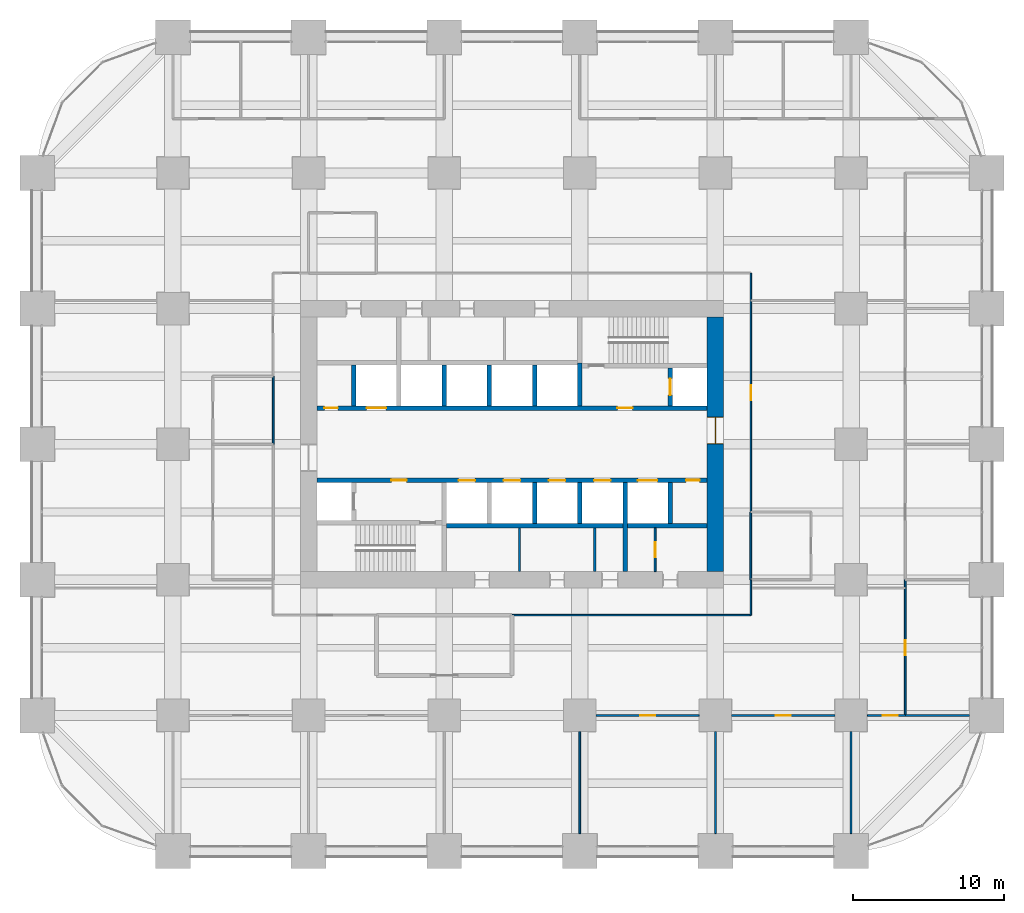
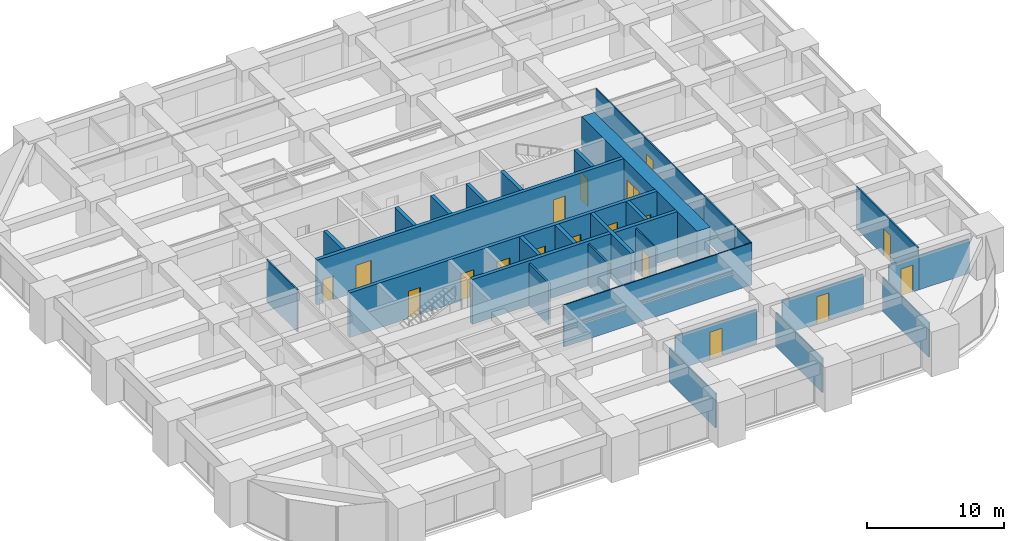
# One storey, part 40 of 44: 30 walls, 18 doors, 18 openings.
"""IFC4 building model written with IfcOpenShell, lengths in metres."""

from ifc_helpers import new_model, si_unit, direction, frame, frame_2d, origin, place, context, subcontext, project, spatial, rectangle, extrude, material, layer, layer_set, type_object, element, fill, save


model = new_model("IFC4")

# Units and contexts
model_context = context("Model", 3, precision=1e-05, world=origin(), true_north=direction((0.0, 1.0)))
body_context = subcontext(model_context, "Body", "Model", "MODEL_VIEW")
ifc_project = project(units=[si_unit("LENGTHUNIT", "METRE"), si_unit("AREAUNIT", "SQUARE_METRE"), si_unit("VOLUMEUNIT", "CUBIC_METRE"), si_unit("PLANEANGLEUNIT", "RADIAN"), si_unit("MASSUNIT", "GRAM", prefix="KILO")], contexts=[model_context])

# Site, building, storey
site_placement = place(None, origin())
site = spatial("IfcSite", under=ifc_project, at=site_placement, CompositionType="ELEMENT")
building_placement = place(site_placement, origin())
building = spatial("IfcBuilding", under=site, at=building_placement, Name="Zorevar Civic Tower", CompositionType="ELEMENT")
storey_placement = place(building_placement, frame((0.0, 0.0, 55.800048828125)))
storey = spatial("IfcBuildingStorey", under=building, at=storey_placement, Name="L13", CompositionType="ELEMENT", Elevation=55.800048828125)

# Wall, opening, door
ifc_material_1 = material(Name="Concrete C50/60", Category="concrete")
ifc_layer_1 = layer(ifc_material_1, 1.10009765625)
ifc_layer_set_1 = layer_set([ifc_layer_1], Name="Core wall 1100")
wall_type_1 = type_object("IfcWallType", Name="Core wall 1100", PredefinedType="SHEAR", material=ifc_layer_set_1)
wall_1_placement = place(storey_placement, frame((45.0, 18.550048828125, 0.0), z_axis=(0.0, 0.0, 1.0), x_axis=(0.0, 1.0, 0.0)))
wall_1 = element("IfcWall", 1, at=wall_1_placement, inside=storey, type_object=wall_type_1, Name="Core wall E L13", PredefinedType="SHEAR", context=body_context, shape_type="SweptSolid", body=[
    extrude(rectangle(XDim=16.89990234375, YDim=1.10009765625, at=frame_2d((8.449951171875, 0.0))), origin(), (0.0, 0.0, 1.0), 4.0),
])
opening_1_placement = place(wall_1_placement, frame((8.449951171875, 0.0, 0.0)))
opening_1 = element("IfcOpeningElement", 2, at=opening_1_placement, cuts=wall_1, Name="Opening L13.02", PredefinedType="OPENING", context=body_context, shape_type="SweptSolid", body=[
    extrude(rectangle(XDim=1.800048828125, YDim=2.39990234375, at=frame_2d((0.89990234375, 1.199951171875))), frame((0.0, 0.56005859375, 0.0), z_axis=(0.0, -1.0, 0.0), x_axis=(1.0, 0.0, 0.0)), (0.0, 0.0, 1.0), 1.1201171875),
])
ifc_material_2 = material(Name="Steel door set", Category="steel")
door_type_1 = type_object("IfcDoorType", Name="Fire door FD2 1800x2400", OperationType="DOUBLE_DOOR_DOUBLE_SWING", PredefinedType="DOOR", material=ifc_material_2)
door_1_placement = place(opening_1_placement, origin())
door_1 = element("IfcDoor", 3, at=door_1_placement, inside=storey, type_object=door_type_1, Name="Door L13 01", OperationType="DOUBLE_DOOR_DOUBLE_SWING", OverallHeight=2.39990234375, OverallWidth=1.800048828125, PredefinedType="DOOR", context=body_context, shape_type="SweptSolid", body=[
    extrude(rectangle(XDim=1.800048828125, YDim=2.39990234375, at=frame_2d((0.89990234375, 1.199951171875))), frame((0.0, 0.030029296875, 0.0), z_axis=(0.0, -1.0, 0.0), x_axis=(1.0, 0.0, 0.0)), (0.0, 0.0, 1.0), 0.06005859375),
    extrude(rectangle(XDim=0.04, YDim=2.39990234375, at=frame_2d((0.02001953125, 1.199951171875))), frame((0.0, 0.5498046875, 0.0), z_axis=(0.0, -1.0, 0.0), x_axis=(1.0, 0.0, 0.0)), (0.0, 0.0, 1.0), 1.099609375),
    extrude(rectangle(XDim=0.04, YDim=2.39990234375, at=frame_2d((1.780029296875, 1.199951171875))), frame((0.0, 0.5498046875, 0.0), z_axis=(0.0, -1.0, 0.0), x_axis=(1.0, 0.0, 0.0)), (0.0, 0.0, 1.0), 1.099609375),
    extrude(rectangle(XDim=1.800048828125, YDim=0.04, at=frame_2d((0.89990234375, 2.3798828125))), frame((0.0, 0.5498046875, 0.0), z_axis=(0.0, -1.0, 0.0), x_axis=(1.0, 0.0, 0.0)), (0.0, 0.0, 1.0), 1.099609375),
])
fill(opening_1, door_1)

# Walls
ifc_material_3 = material(Name="Laminated glass in black aluminium frame", Category="aluminium")
ifc_layer_2 = layer(ifc_material_3, 0.10009765625)
ifc_layer_set_2 = layer_set([ifc_layer_2], Name="Glazed partition 100")
wall_type_2 = type_object("IfcWallType", Name="Glazed partition 100", PredefinedType="PARTITIONING", material=ifc_layer_set_2)
wall_2_placement = place(storey_placement, frame((31.5, 15.64990234375, 0.0), z_axis=(0.0, 0.0, 1.0), x_axis=(1.0, 0.0, 0.0)))
element("IfcWall", 4, at=wall_2_placement, inside=storey, type_object=wall_type_2, Name="Glazed partition 100 L13", PredefinedType="PARTITIONING", context=body_context, shape_type="SweptSolid", body=[
    extrude(rectangle(XDim=15.85009765625, YDim=0.10009765625, at=frame_2d((7.925048828125, 0.0))), origin(), (0.0, 0.0, 1.0), 3.75),
])
wall_3_placement = place(storey_placement, frame((47.35009765625, 15.64990234375, 0.0), z_axis=(0.0, 0.0, 1.0), x_axis=(0.0, 1.0, 0.0)))
element("IfcWall", 5, at=wall_3_placement, inside=storey, type_object=wall_type_2, Name="Glazed partition 100 L13", PredefinedType="PARTITIONING", context=body_context, shape_type="SweptSolid", body=[
    extrude(rectangle(XDim=2.35009765625, YDim=0.10009765625, at=frame_2d((1.175048828125, 0.0))), origin(), (0.0, 0.0, 1.0), 3.75),
])

# Wall, opening, door
wall_4_placement = place(storey_placement, frame((47.35009765625, 22.5, 0.0), z_axis=(0.0, 0.0, 1.0), x_axis=(0.0, 1.0, 0.0)))
wall_4 = element("IfcWall", 6, at=wall_4_placement, inside=storey, type_object=wall_type_2, Name="Glazed partition 100 L13", PredefinedType="PARTITIONING", context=body_context, shape_type="SweptSolid", body=[
    extrude(rectangle(XDim=15.85009765625, YDim=0.10009765625, at=frame_2d((7.925048828125, 0.0))), origin(), (0.0, 0.0, 1.0), 3.75),
])
opening_2_placement = place(wall_4_placement, frame((7.425048828125, 0.0, 0.0)))
opening_2 = element("IfcOpeningElement", 7, at=opening_2_placement, cuts=wall_4, Name="Opening L13.36", PredefinedType="OPENING", context=body_context, shape_type="SweptSolid", body=[
    extrude(rectangle(XDim=1.0, YDim=2.39990234375, at=frame_2d((0.5, 1.199951171875))), frame((0.0, 0.06005859375, 0.0), z_axis=(0.0, -1.0, 0.0), x_axis=(1.0, 0.0, 0.0)), (0.0, 0.0, 1.0), 0.1201171875),
])
ifc_material_4 = material(Name="Timber door set", Category="wood")
door_type_2 = type_object("IfcDoorType", Name="Glazed door GD1 1000x2400", OperationType="SINGLE_SWING_LEFT", PredefinedType="DOOR", material=ifc_material_4)
door_2_placement = place(opening_2_placement, origin())
door_2 = element("IfcDoor", 8, at=door_2_placement, inside=storey, type_object=door_type_2, Name="Door L13 D1", OperationType="SINGLE_SWING_RIGHT", OverallHeight=2.39990234375, OverallWidth=1.0, PredefinedType="DOOR", context=body_context, shape_type="SweptSolid", body=[
    extrude(rectangle(XDim=1.0, YDim=2.39990234375, at=frame_2d((0.5, 1.199951171875))), frame((0.0, 0.02001953125, 0.0), z_axis=(0.0, -1.0, 0.0), x_axis=(1.0, 0.0, 0.0)), (0.0, 0.0, 1.0), 0.0400390625),
])
fill(opening_2, door_2)

ifc_material_5 = material(Name="Concrete C40/50", Category="concrete")
ifc_layer_3 = layer(ifc_material_5, 0.300048828125)
ifc_layer_set_3 = layer_set([ifc_layer_3], Name="Inner core wall 300")
wall_type_3 = type_object("IfcWallType", Name="Inner core wall 300", PredefinedType="SHEAR", material=ifc_layer_set_3)
wall_5_placement = place(storey_placement, frame((42.0, 29.550048828125, 0.0), z_axis=(0.0, 0.0, 1.0), x_axis=(0.0, 1.0, 0.0)))
wall_5 = element("IfcWall", 9, at=wall_5_placement, inside=storey, type_object=wall_type_3, Name="Inner core wall N02 L13", PredefinedType="SHEAR", context=body_context, shape_type="SweptSolid", body=[
    extrude(rectangle(XDim=2.5, YDim=0.300048828125, at=frame_2d((1.25, 0.0))), origin(), (0.0, 0.0, 1.0), 4.0),
])
opening_3_placement = place(wall_5_placement, frame((0.699951171875, 0.0, 0.0)))
opening_3 = element("IfcOpeningElement", 10, at=opening_3_placement, cuts=wall_5, Name="Opening L13.FL2", PredefinedType="OPENING", context=body_context, shape_type="SweptSolid", body=[
    extrude(rectangle(XDim=1.10009765625, YDim=2.39990234375, at=frame_2d((0.550048828125, 1.199951171875))), frame((0.0, 0.159912109375, 0.0), z_axis=(0.0, -1.0, 0.0), x_axis=(1.0, 0.0, 0.0)), (0.0, 0.0, 1.0), 0.320068359375),
])
ifc_material_6 = material(Name="Steel door set", Category="steel")
door_type_3 = type_object("IfcDoorType", Name="Firefighting lift landing door LD3 1100x2400", OperationType="DOUBLE_DOOR_SLIDING", PredefinedType="DOOR", material=ifc_material_6)
door_3_placement = place(opening_3_placement, origin())
door_3 = element("IfcDoor", 11, at=door_3_placement, inside=storey, type_object=door_type_3, Name="Landing door FL2 L13", OperationType="DOUBLE_DOOR_SLIDING", OverallHeight=2.39990234375, OverallWidth=1.10009765625, PredefinedType="DOOR", context=body_context, shape_type="SweptSolid", body=[
    extrude(rectangle(XDim=1.10009765625, YDim=2.39990234375, at=frame_2d((0.550048828125, 1.199951171875))), frame((0.0, 0.030029296875, 0.0), z_axis=(0.0, -1.0, 0.0), x_axis=(1.0, 0.0, 0.0)), (0.0, 0.0, 1.0), 0.06005859375),
])
fill(opening_3, door_3)

# Wall, openings, doors
wall_6_placement = place(storey_placement, frame((18.550048828125, 24.60009765625, 0.0), z_axis=(0.0, 0.0, 1.0), x_axis=(1.0, 0.0, 0.0)))
wall_6 = element("IfcWall", 12, at=wall_6_placement, inside=storey, type_object=wall_type_3, Name="Inner core wall S03 L13", PredefinedType="SHEAR", context=body_context, shape_type="SweptSolid", body=[
    extrude(rectangle(XDim=25.89990234375, YDim=0.300048828125, at=frame_2d((12.949951171875, 0.0))), origin(), (0.0, 0.0, 1.0), 4.0),
])
opening_4_placement = place(wall_6_placement, frame((4.949951171875, 0.0, 0.0)))
opening_4 = element("IfcOpeningElement", 13, at=opening_4_placement, cuts=wall_6, Name="Opening L13.13", PredefinedType="OPENING", context=body_context, shape_type="SweptSolid", body=[
    extrude(rectangle(XDim=1.0, YDim=2.39990234375, at=frame_2d((0.5, 1.199951171875))), frame((0.0, 0.159912109375, 0.0), z_axis=(0.0, -1.0, 0.0), x_axis=(1.0, 0.0, 0.0)), (0.0, 0.0, 1.0), 0.320068359375),
])
opening_5_placement = place(wall_6_placement, frame((24.5, 0.0, 0.0)))
opening_5 = element("IfcOpeningElement", 14, at=opening_5_placement, cuts=wall_6, Name="Opening L13.15", PredefinedType="OPENING", context=body_context, shape_type="SweptSolid", body=[
    extrude(rectangle(XDim=0.89990234375, YDim=2.10009765625, at=frame_2d((0.449951171875, 1.050048828125))), frame((0.0, 0.159912109375, 0.0), z_axis=(0.0, -1.0, 0.0), x_axis=(1.0, 0.0, 0.0)), (0.0, 0.0, 1.0), 0.320068359375),
])
opening_6_placement = place(wall_6_placement, frame((9.39990234375, 0.0, 0.0)))
opening_6 = element("IfcOpeningElement", 15, at=opening_6_placement, cuts=wall_6, Name="Opening L13.LP1", PredefinedType="OPENING", context=body_context, shape_type="SweptSolid", body=[
    extrude(rectangle(XDim=1.10009765625, YDim=2.39990234375, at=frame_2d((0.550048828125, 1.199951171875))), frame((0.0, 0.159912109375, 0.0), z_axis=(0.0, -1.0, 0.0), x_axis=(1.0, 0.0, 0.0)), (0.0, 0.0, 1.0), 0.320068359375),
])
opening_7_placement = place(wall_6_placement, frame((12.39990234375, 0.0, 0.0)))
opening_7 = element("IfcOpeningElement", 16, at=opening_7_placement, cuts=wall_6, Name="Opening L13.LP2", PredefinedType="OPENING", context=body_context, shape_type="SweptSolid", body=[
    extrude(rectangle(XDim=1.10009765625, YDim=2.39990234375, at=frame_2d((0.550048828125, 1.199951171875))), frame((0.0, 0.159912109375, 0.0), z_axis=(0.0, -1.0, 0.0), x_axis=(1.0, 0.0, 0.0)), (0.0, 0.0, 1.0), 0.320068359375),
])
opening_8_placement = place(wall_6_placement, frame((15.39990234375, 0.0, 0.0)))
opening_8 = element("IfcOpeningElement", 17, at=opening_8_placement, cuts=wall_6, Name="Opening L13.LP3", PredefinedType="OPENING", context=body_context, shape_type="SweptSolid", body=[
    extrude(rectangle(XDim=1.10009765625, YDim=2.39990234375, at=frame_2d((0.550048828125, 1.199951171875))), frame((0.0, 0.159912109375, 0.0), z_axis=(0.0, -1.0, 0.0), x_axis=(1.0, 0.0, 0.0)), (0.0, 0.0, 1.0), 0.320068359375),
])
opening_9_placement = place(wall_6_placement, frame((18.39990234375, 0.0, 0.0)))
opening_9 = element("IfcOpeningElement", 18, at=opening_9_placement, cuts=wall_6, Name="Opening L13.LP4", PredefinedType="OPENING", context=body_context, shape_type="SweptSolid", body=[
    extrude(rectangle(XDim=1.10009765625, YDim=2.39990234375, at=frame_2d((0.550048828125, 1.199951171875))), frame((0.0, 0.159912109375, 0.0), z_axis=(0.0, -1.0, 0.0), x_axis=(1.0, 0.0, 0.0)), (0.0, 0.0, 1.0), 0.320068359375),
])
opening_10_placement = place(wall_6_placement, frame((21.300048828125, 0.0, 0.0)))
opening_10 = element("IfcOpeningElement", 19, at=opening_10_placement, cuts=wall_6, Name="Opening L13.SL1", PredefinedType="OPENING", context=body_context, shape_type="SweptSolid", body=[
    extrude(rectangle(XDim=1.300048828125, YDim=2.39990234375, at=frame_2d((0.64990234375, 1.199951171875))), frame((0.0, 0.159912109375, 0.0), z_axis=(0.0, -1.0, 0.0), x_axis=(1.0, 0.0, 0.0)), (0.0, 0.0, 1.0), 0.320068359375),
])
ifc_material_7 = material(Name="Steel door set", Category="steel")
door_type_4 = type_object("IfcDoorType", Name="Fire door FD1 1000x2400", OperationType="SINGLE_SWING_LEFT", PredefinedType="DOOR", material=ifc_material_7)
door_4_placement = place(opening_4_placement, origin())
door_4 = element("IfcDoor", 20, at=door_4_placement, inside=storey, type_object=door_type_4, Name="Door L13 12", OperationType="SINGLE_SWING_RIGHT", OverallHeight=2.39990234375, OverallWidth=1.0, PredefinedType="DOOR", context=body_context, shape_type="SweptSolid", body=[
    extrude(rectangle(XDim=1.0, YDim=2.39990234375, at=frame_2d((0.5, 1.199951171875))), frame((0.0, 0.030029296875, 0.0), z_axis=(0.0, -1.0, 0.0), x_axis=(1.0, 0.0, 0.0)), (0.0, 0.0, 1.0), 0.06005859375),
])
fill(opening_4, door_4)
ifc_material_8 = material(Name="Steel door set", Category="steel")
door_type_5 = type_object("IfcDoorType", Name="Landing door LD1 1100x2400", OperationType="DOUBLE_DOOR_SLIDING", PredefinedType="DOOR", material=ifc_material_8)
door_5_placement = place(opening_6_placement, origin())
door_5 = element("IfcDoor", 21, at=door_5_placement, inside=storey, type_object=door_type_5, Name="Landing door LP1 L13", OperationType="DOUBLE_DOOR_SLIDING", OverallHeight=2.39990234375, OverallWidth=1.10009765625, PredefinedType="DOOR", context=body_context, shape_type="SweptSolid", body=[
    extrude(rectangle(XDim=1.10009765625, YDim=2.39990234375, at=frame_2d((0.550048828125, 1.199951171875))), frame((0.0, 0.02001953125, 0.0), z_axis=(0.0, -1.0, 0.0), x_axis=(1.0, 0.0, 0.0)), (0.0, 0.0, 1.0), 0.0400390625),
])
fill(opening_6, door_5)
door_6_placement = place(opening_7_placement, origin())
door_6 = element("IfcDoor", 22, at=door_6_placement, inside=storey, type_object=door_type_5, Name="Landing door LP2 L13", OperationType="DOUBLE_DOOR_SLIDING", OverallHeight=2.39990234375, OverallWidth=1.10009765625, PredefinedType="DOOR", context=body_context, shape_type="SweptSolid", body=[
    extrude(rectangle(XDim=1.10009765625, YDim=2.39990234375, at=frame_2d((0.550048828125, 1.199951171875))), frame((0.0, 0.02001953125, 0.0), z_axis=(0.0, -1.0, 0.0), x_axis=(1.0, 0.0, 0.0)), (0.0, 0.0, 1.0), 0.0400390625),
])
fill(opening_7, door_6)
door_7_placement = place(opening_8_placement, origin())
door_7 = element("IfcDoor", 23, at=door_7_placement, inside=storey, type_object=door_type_5, Name="Landing door LP3 L13", OperationType="DOUBLE_DOOR_SLIDING", OverallHeight=2.39990234375, OverallWidth=1.10009765625, PredefinedType="DOOR", context=body_context, shape_type="SweptSolid", body=[
    extrude(rectangle(XDim=1.10009765625, YDim=2.39990234375, at=frame_2d((0.550048828125, 1.199951171875))), frame((0.0, 0.02001953125, 0.0), z_axis=(0.0, -1.0, 0.0), x_axis=(1.0, 0.0, 0.0)), (0.0, 0.0, 1.0), 0.0400390625),
])
fill(opening_8, door_7)
door_8_placement = place(opening_9_placement, origin())
door_8 = element("IfcDoor", 24, at=door_8_placement, inside=storey, type_object=door_type_5, Name="Landing door LP4 L13", OperationType="DOUBLE_DOOR_SLIDING", OverallHeight=2.39990234375, OverallWidth=1.10009765625, PredefinedType="DOOR", context=body_context, shape_type="SweptSolid", body=[
    extrude(rectangle(XDim=1.10009765625, YDim=2.39990234375, at=frame_2d((0.550048828125, 1.199951171875))), frame((0.0, 0.02001953125, 0.0), z_axis=(0.0, -1.0, 0.0), x_axis=(1.0, 0.0, 0.0)), (0.0, 0.0, 1.0), 0.0400390625),
])
fill(opening_9, door_8)
ifc_material_9 = material(Name="Steel door set", Category="steel")
door_type_6 = type_object("IfcDoorType", Name="Landing door LD2 1300x2400", OperationType="DOUBLE_DOOR_SLIDING", PredefinedType="DOOR", material=ifc_material_9)
door_9_placement = place(opening_10_placement, origin())
door_9 = element("IfcDoor", 25, at=door_9_placement, inside=storey, type_object=door_type_6, Name="Landing door SL1 L13", OperationType="DOUBLE_DOOR_SLIDING", OverallHeight=2.39990234375, OverallWidth=1.300048828125, PredefinedType="DOOR", context=body_context, shape_type="SweptSolid", body=[
    extrude(rectangle(XDim=1.300048828125, YDim=2.39990234375, at=frame_2d((0.64990234375, 1.199951171875))), frame((0.0, 0.02001953125, 0.0), z_axis=(0.0, -1.0, 0.0), x_axis=(1.0, 0.0, 0.0)), (0.0, 0.0, 1.0), 0.0400390625),
])
fill(opening_10, door_9)
ifc_material_10 = material(Name="Steel door set", Category="steel")
door_type_7 = type_object("IfcDoorType", Name="Riser door RD1 900x2100", OperationType="SINGLE_SWING_LEFT", PredefinedType="DOOR", material=ifc_material_10)
door_10_placement = place(opening_5_placement, origin())
door_10 = element("IfcDoor", 26, at=door_10_placement, inside=storey, type_object=door_type_7, Name="Door L13 14", OperationType="SINGLE_SWING_RIGHT", OverallHeight=2.10009765625, OverallWidth=0.89990234375, PredefinedType="DOOR", context=body_context, shape_type="SweptSolid", body=[
    extrude(rectangle(XDim=0.89990234375, YDim=2.10009765625, at=frame_2d((0.449951171875, 1.050048828125))), frame((0.0, 0.030029296875, 0.0), z_axis=(0.0, -1.0, 0.0), x_axis=(1.0, 0.0, 0.0)), (0.0, 0.0, 1.0), 0.06005859375),
])
fill(opening_5, door_10)

wall_7_placement = place(storey_placement, frame((18.550048828125, 29.39990234375, 0.0), z_axis=(0.0, 0.0, 1.0), x_axis=(1.0, 0.0, 0.0)))
wall_7 = element("IfcWall", 27, at=wall_7_placement, inside=storey, type_object=wall_type_3, Name="Inner core wall N03 L13", PredefinedType="SHEAR", context=body_context, shape_type="SweptSolid", body=[
    extrude(rectangle(XDim=25.89990234375, YDim=0.300048828125, at=frame_2d((12.949951171875, 0.0))), origin(), (0.0, 0.0, 1.0), 4.0),
])
opening_11_placement = place(wall_7_placement, frame((19.949951171875, 0.0, 0.0)))
opening_11 = element("IfcOpeningElement", 28, at=opening_11_placement, cuts=wall_7, Name="Opening L13.14", PredefinedType="OPENING", context=body_context, shape_type="SweptSolid", body=[
    extrude(rectangle(XDim=1.0, YDim=2.39990234375, at=frame_2d((0.5, 1.199951171875))), frame((0.0, 0.159912109375, 0.0), z_axis=(0.0, -1.0, 0.0), x_axis=(1.0, 0.0, 0.0)), (0.0, 0.0, 1.0), 0.320068359375),
])
opening_12_placement = place(wall_7_placement, frame((0.5, 0.0, 0.0)))
opening_12 = element("IfcOpeningElement", 29, at=opening_12_placement, cuts=wall_7, Name="Opening L13.16", PredefinedType="OPENING", context=body_context, shape_type="SweptSolid", body=[
    extrude(rectangle(XDim=0.89990234375, YDim=2.10009765625, at=frame_2d((0.449951171875, 1.050048828125))), frame((0.0, 0.159912109375, 0.0), z_axis=(0.0, -1.0, 0.0), x_axis=(1.0, 0.0, 0.0)), (0.0, 0.0, 1.0), 0.320068359375),
])
opening_13_placement = place(wall_7_placement, frame((3.300048828125, 0.0, 0.0)))
opening_13 = element("IfcOpeningElement", 30, at=opening_13_placement, cuts=wall_7, Name="Opening L13.SL2", PredefinedType="OPENING", context=body_context, shape_type="SweptSolid", body=[
    extrude(rectangle(XDim=1.300048828125, YDim=2.39990234375, at=frame_2d((0.64990234375, 1.199951171875))), frame((0.0, 0.159912109375, 0.0), z_axis=(0.0, -1.0, 0.0), x_axis=(1.0, 0.0, 0.0)), (0.0, 0.0, 1.0), 0.320068359375),
])
door_11_placement = place(opening_11_placement, origin())
door_11 = element("IfcDoor", 31, at=door_11_placement, inside=storey, type_object=door_type_4, Name="Door L13 13", OperationType="SINGLE_SWING_RIGHT", OverallHeight=2.39990234375, OverallWidth=1.0, PredefinedType="DOOR", context=body_context, shape_type="SweptSolid", body=[
    extrude(rectangle(XDim=1.0, YDim=2.39990234375, at=frame_2d((0.5, 1.199951171875))), frame((0.0, 0.030029296875, 0.0), z_axis=(0.0, -1.0, 0.0), x_axis=(1.0, 0.0, 0.0)), (0.0, 0.0, 1.0), 0.06005859375),
])
fill(opening_11, door_11)
door_12_placement = place(opening_13_placement, origin())
door_12 = element("IfcDoor", 32, at=door_12_placement, inside=storey, type_object=door_type_6, Name="Landing door SL2 L13", OperationType="DOUBLE_DOOR_SLIDING", OverallHeight=2.39990234375, OverallWidth=1.300048828125, PredefinedType="DOOR", context=body_context, shape_type="SweptSolid", body=[
    extrude(rectangle(XDim=1.300048828125, YDim=2.39990234375, at=frame_2d((0.64990234375, 1.199951171875))), frame((0.0, 0.02001953125, 0.0), z_axis=(0.0, -1.0, 0.0), x_axis=(1.0, 0.0, 0.0)), (0.0, 0.0, 1.0), 0.0400390625),
])
fill(opening_13, door_12)
door_13_placement = place(opening_12_placement, origin())
door_13 = element("IfcDoor", 33, at=door_13_placement, inside=storey, type_object=door_type_7, Name="Door L13 15", OperationType="SINGLE_SWING_RIGHT", OverallHeight=2.10009765625, OverallWidth=0.89990234375, PredefinedType="DOOR", context=body_context, shape_type="SweptSolid", body=[
    extrude(rectangle(XDim=0.89990234375, YDim=2.10009765625, at=frame_2d((0.449951171875, 1.050048828125))), frame((0.0, 0.030029296875, 0.0), z_axis=(0.0, -1.0, 0.0), x_axis=(1.0, 0.0, 0.0)), (0.0, 0.0, 1.0), 0.06005859375),
])
fill(opening_12, door_13)

# Walls
wall_8_placement = place(storey_placement, frame((27.14990234375, 21.60009765625, 0.0), z_axis=(0.0, 0.0, 1.0), x_axis=(1.0, 0.0, 0.0)))
element("IfcWall", 34, at=wall_8_placement, inside=storey, type_object=wall_type_3, Name="Inner core wall S04 L13", PredefinedType="SHEAR", context=body_context, shape_type="SweptSolid", body=[
    extrude(rectangle(XDim=17.300048828125, YDim=0.300048828125, at=frame_2d((8.64990234375, 0.0))), origin(), (0.0, 0.0, 1.0), 4.0),
])
for number, where, z_axis, x_axis, name in (
    (35, (33.0, 29.550048828125, 0.0), (0.0, 0.0, 1.0), (0.0, 1.0, 0.0), "Inner core wall N05 L13"),
    (36, (33.0, 21.75, 0.0), (0.0, 0.0, 1.0), (0.0, 1.0, 0.0), "Inner core wall S06 L13"),
    (37, (30.0, 29.550048828125, 0.0), (0.0, 0.0, 1.0), (0.0, 1.0, 0.0), "Inner core wall N06 L13"),
    (38, (36.0, 21.75, 0.0), (0.0, 0.0, 1.0), (0.0, 1.0, 0.0), "Inner core wall S07 L13"),
    (39, (27.0, 29.550048828125, 0.0), (0.0, 0.0, 1.0), (0.0, 1.0, 0.0), "Inner core wall N07 L13"),
):
    element("IfcWall", number, at=place(storey_placement, frame(where, z_axis=z_axis, x_axis=x_axis)), inside=storey, type_object=wall_type_3, Name=name, PredefinedType="SHEAR", context=body_context, shape_type="SweptSolid", body=[
        extrude(rectangle(XDim=2.699951171875, YDim=0.300048828125, at=frame_2d((1.35009765625, 0.0))), origin(), (0.0, 0.0, 1.0), 4.0),
    ])
wall_9_placement = place(storey_placement, frame((39.0, 18.550048828125, 0.0), z_axis=(0.0, 0.0, 1.0), x_axis=(0.0, 1.0, 0.0)))
element("IfcWall", 40, at=wall_9_placement, inside=storey, type_object=wall_type_3, Name="Inner core wall S08 L13", PredefinedType="SHEAR", context=body_context, shape_type="SweptSolid", body=[
    extrude(rectangle(XDim=5.89990234375, YDim=0.300048828125, at=frame_2d((2.949951171875, 0.0))), origin(), (0.0, 0.0, 1.0), 4.0),
])
for number, where, z_axis, x_axis, name in (
    (41, (42.0, 21.75, 0.0), (0.0, 0.0, 1.0), (0.0, 1.0, 0.0), "Inner core wall S09 L13"),
    (42, (21.0, 29.550048828125, 0.0), (0.0, 0.0, 1.0), (0.0, 1.0, 0.0), "Inner core wall N09 L13"),
):
    element("IfcWall", number, at=place(storey_placement, frame(where, z_axis=z_axis, x_axis=x_axis)), inside=storey, type_object=wall_type_3, Name=name, PredefinedType="SHEAR", context=body_context, shape_type="SweptSolid", body=[
        extrude(rectangle(XDim=2.699951171875, YDim=0.300048828125, at=frame_2d((1.35009765625, 0.0))), origin(), (0.0, 0.0, 1.0), 4.0),
    ])
wall_10_placement = place(storey_placement, frame((36.0, 29.550048828125, 0.0), z_axis=(0.0, 0.0, 1.0), x_axis=(0.0, 1.0, 0.0)))
element("IfcWall", 43, at=wall_10_placement, inside=storey, type_object=wall_type_3, Name="Inner core wall N10 L13", PredefinedType="SHEAR", context=body_context, shape_type="SweptSolid", body=[
    extrude(rectangle(XDim=2.849853515625, YDim=0.300048828125, at=frame_2d((1.4248046875, 0.0))), origin(), (0.0, 0.0, 1.0), 4.0),
])

# Wall, opening, door
ifc_material_11 = material(Name="Gypsum board on steel studs", Category="steel")
ifc_layer_4 = layer(ifc_material_11, 0.1201171875)
ifc_layer_set_4 = layer_set([ifc_layer_4], Name="Partition 120")
wall_type_4 = type_object("IfcWallType", Name="Partition 120", PredefinedType="PARTITIONING", material=ifc_layer_set_4)
wall_11_placement = place(storey_placement, frame((37.074951171875, 9.0, 0.0), z_axis=(0.0, 0.0, 1.0), x_axis=(1.0, 0.0, 0.0)))
wall_11 = element("IfcWall", 44, at=wall_11_placement, inside=storey, type_object=wall_type_4, Name="Partition 120 L13", PredefinedType="PARTITIONING", context=body_context, shape_type="SweptSolid", body=[
    extrude(rectangle(XDim=6.85009765625, YDim=0.1201171875, at=frame_2d((3.425048828125, 0.0))), origin(), (0.0, 0.0, 1.0), 3.050048828125),
])
opening_14_placement = place(wall_11_placement, frame((2.925048828125, 0.0, 0.0)))
opening_14 = element("IfcOpeningElement", 45, at=opening_14_placement, cuts=wall_11, Name="Opening L13.19", PredefinedType="OPENING", context=body_context, shape_type="SweptSolid", body=[
    extrude(rectangle(XDim=1.0, YDim=2.39990234375, at=frame_2d((0.5, 1.199951171875))), frame((0.0, 0.070068359375, 0.0), z_axis=(0.0, -1.0, 0.0), x_axis=(1.0, 0.0, 0.0)), (0.0, 0.0, 1.0), 0.14013671875),
])
ifc_material_12 = material(Name="Timber door set", Category="wood")
door_type_8 = type_object("IfcDoorType", Name="Door D1 1000x2400", OperationType="SINGLE_SWING_LEFT", PredefinedType="DOOR", material=ifc_material_12)
door_14_placement = place(opening_14_placement, origin())
door_14 = element("IfcDoor", 46, at=door_14_placement, inside=storey, type_object=door_type_8, Name="Door L13 D1", OperationType="SINGLE_SWING_LEFT", OverallHeight=2.39990234375, OverallWidth=1.0, PredefinedType="DOOR", context=body_context, shape_type="SweptSolid", body=[
    extrude(rectangle(XDim=1.0, YDim=2.39990234375, at=frame_2d((0.5, 1.199951171875))), frame((0.0, 0.02490234375, 0.0), z_axis=(0.0, -1.0, 0.0), x_axis=(1.0, 0.0, 0.0)), (0.0, 0.0, 1.0), 0.050048828125),
])
fill(opening_14, door_14)

wall_12_placement = place(storey_placement, frame((46.074951171875, 9.0, 0.0), z_axis=(0.0, 0.0, 1.0), x_axis=(1.0, 0.0, 0.0)))
wall_12 = element("IfcWall", 47, at=wall_12_placement, inside=storey, type_object=wall_type_4, Name="Partition 120 L13", PredefinedType="PARTITIONING", context=body_context, shape_type="SweptSolid", body=[
    extrude(rectangle(XDim=6.85009765625, YDim=0.1201171875, at=frame_2d((3.425048828125, 0.0))), origin(), (0.0, 0.0, 1.0), 3.050048828125),
])
opening_15_placement = place(wall_12_placement, frame((2.925048828125, 0.0, 0.0)))
opening_15 = element("IfcOpeningElement", 48, at=opening_15_placement, cuts=wall_12, Name="Opening L13.20", PredefinedType="OPENING", context=body_context, shape_type="SweptSolid", body=[
    extrude(rectangle(XDim=1.0, YDim=2.39990234375, at=frame_2d((0.5, 1.199951171875))), frame((0.0, 0.070068359375, 0.0), z_axis=(0.0, -1.0, 0.0), x_axis=(1.0, 0.0, 0.0)), (0.0, 0.0, 1.0), 0.14013671875),
])
door_15_placement = place(opening_15_placement, origin())
door_15 = element("IfcDoor", 49, at=door_15_placement, inside=storey, type_object=door_type_8, Name="Door L13 D1", OperationType="SINGLE_SWING_RIGHT", OverallHeight=2.39990234375, OverallWidth=1.0, PredefinedType="DOOR", context=body_context, shape_type="SweptSolid", body=[
    extrude(rectangle(XDim=1.0, YDim=2.39990234375, at=frame_2d((0.5, 1.199951171875))), frame((0.0, 0.02490234375, 0.0), z_axis=(0.0, -1.0, 0.0), x_axis=(1.0, 0.0, 0.0)), (0.0, 0.0, 1.0), 0.050048828125),
])
fill(opening_15, door_15)

# Wall
wall_13_placement = place(storey_placement, frame((57.60009765625, 9.0, 0.0), z_axis=(0.0, 0.0, 1.0), x_axis=(1.0, 0.0, 0.0)))
element("IfcWall", 50, at=wall_13_placement, inside=storey, type_object=wall_type_4, Name="Partition 120 L13", PredefinedType="PARTITIONING", context=body_context, shape_type="SweptSolid", body=[
    extrude(rectangle(XDim=4.25, YDim=0.1201171875, at=frame_2d((2.125, 0.0))), origin(), (0.0, 0.0, 1.0), 3.050048828125),
])

# Wall, opening, door
wall_14_placement = place(storey_placement, frame((55.074951171875, 9.0, 0.0), z_axis=(0.0, 0.0, 1.0), x_axis=(1.0, 0.0, 0.0)))
wall_14 = element("IfcWall", 51, at=wall_14_placement, inside=storey, type_object=wall_type_4, Name="Partition 120 L13", PredefinedType="PARTITIONING", context=body_context, shape_type="SweptSolid", body=[
    extrude(rectangle(XDim=2.525146484375, YDim=0.1201171875, at=frame_2d((1.2626953125, 0.0))), origin(), (0.0, 0.0, 1.0), 3.050048828125),
])
opening_16_placement = place(wall_14_placement, frame((1.02490234375, 0.0, 0.0)))
opening_16 = element("IfcOpeningElement", 52, at=opening_16_placement, cuts=wall_14, Name="Opening L13.21", PredefinedType="OPENING", context=body_context, shape_type="SweptSolid", body=[
    extrude(rectangle(XDim=1.0, YDim=2.39990234375, at=frame_2d((0.5, 1.199951171875))), frame((0.0, 0.070068359375, 0.0), z_axis=(0.0, -1.0, 0.0), x_axis=(1.0, 0.0, 0.0)), (0.0, 0.0, 1.0), 0.14013671875),
])
door_16_placement = place(opening_16_placement, origin())
door_16 = element("IfcDoor", 53, at=door_16_placement, inside=storey, type_object=door_type_8, Name="Door L13 D1", OperationType="SINGLE_SWING_LEFT", OverallHeight=2.39990234375, OverallWidth=1.0, PredefinedType="DOOR", context=body_context, shape_type="SweptSolid", body=[
    extrude(rectangle(XDim=1.0, YDim=2.39990234375, at=frame_2d((0.5, 1.199951171875))), frame((0.0, 0.02490234375, 0.0), z_axis=(0.0, -1.0, 0.0), x_axis=(1.0, 0.0, 0.0)), (0.0, 0.0, 1.0), 0.050048828125),
])
fill(opening_16, door_16)

# Walls
wall_15_placement = place(storey_placement, frame((15.64990234375, 27.0, 0.0), z_axis=(0.0, 0.0, 1.0), x_axis=(0.0, 1.0, 0.0)))
element("IfcWall", 54, at=wall_15_placement, inside=storey, type_object=wall_type_4, Name="Partition 120 L13", PredefinedType="PARTITIONING", context=body_context, shape_type="SweptSolid", body=[
    extrude(rectangle(XDim=4.5, YDim=0.1201171875, at=frame_2d((2.25, 0.0))), origin(), (0.0, 0.0, 1.0), 3.75),
])
for number, where, z_axis, x_axis, name in (
    (55, (36.0, 1.14990234375, 0.0), (0.0, 0.0, 1.0), (0.0, 1.0, 0.0), "Partition 120 L13"),
    (56, (45.0, 1.14990234375, 0.0), (0.0, 0.0, 1.0), (0.0, 1.0, 0.0), "Partition 120 L13"),
):
    element("IfcWall", number, at=place(storey_placement, frame(where, z_axis=z_axis, x_axis=x_axis)), inside=storey, type_object=wall_type_4, Name=name, PredefinedType="PARTITIONING", context=body_context, shape_type="SweptSolid", body=[
        extrude(rectangle(XDim=6.775146484375, YDim=0.1201171875, at=frame_2d((3.3876953125, 0.0))), origin(), (0.0, 0.0, 1.0), 3.050048828125),
    ])
wall_16_placement = place(storey_placement, frame((47.35009765625, 18.0, 0.0), z_axis=(0.0, 0.0, 1.0), x_axis=(0.0, 1.0, 0.0)))
element("IfcWall", 57, at=wall_16_placement, inside=storey, type_object=wall_type_4, Name="Partition 120 L13", PredefinedType="PARTITIONING", context=body_context, shape_type="SweptSolid", body=[
    extrude(rectangle(XDim=4.5, YDim=0.1201171875, at=frame_2d((2.25, 0.0))), origin(), (0.0, 0.0, 1.0), 3.75),
])
wall_17_placement = place(storey_placement, frame((54.0, 1.14990234375, 0.0), z_axis=(0.0, 0.0, 1.0), x_axis=(0.0, 1.0, 0.0)))
element("IfcWall", 58, at=wall_17_placement, inside=storey, type_object=wall_type_4, Name="Partition 120 L13", PredefinedType="PARTITIONING", context=body_context, shape_type="SweptSolid", body=[
    extrude(rectangle(XDim=6.775146484375, YDim=0.1201171875, at=frame_2d((3.3876953125, 0.0))), origin(), (0.0, 0.0, 1.0), 3.050048828125),
])

# Wall, opening, door
wall_18_placement = place(storey_placement, frame((57.60009765625, 9.0, 0.0), z_axis=(0.0, 0.0, 1.0), x_axis=(0.0, 1.0, 0.0)))
wall_18 = element("IfcWall", 59, at=wall_18_placement, inside=storey, type_object=wall_type_4, Name="Partition 120 L13", PredefinedType="PARTITIONING", context=body_context, shape_type="SweptSolid", body=[
    extrude(rectangle(XDim=9.0, YDim=0.1201171875, at=frame_2d((4.5, 0.0))), origin(), (0.0, 0.0, 1.0), 3.75),
])
opening_17_placement = place(wall_18_placement, frame((4.0, 0.0, 0.0)))
opening_17 = element("IfcOpeningElement", 60, at=opening_17_placement, cuts=wall_18, Name="Opening L13.38", PredefinedType="OPENING", context=body_context, shape_type="SweptSolid", body=[
    extrude(rectangle(XDim=1.0, YDim=2.39990234375, at=frame_2d((0.5, 1.199951171875))), frame((0.0, 0.070068359375, 0.0), z_axis=(0.0, -1.0, 0.0), x_axis=(1.0, 0.0, 0.0)), (0.0, 0.0, 1.0), 0.14013671875),
])
door_17_placement = place(opening_17_placement, origin())
door_17 = element("IfcDoor", 61, at=door_17_placement, inside=storey, type_object=door_type_8, Name="Door L13 D1", OperationType="SINGLE_SWING_LEFT", OverallHeight=2.39990234375, OverallWidth=1.0, PredefinedType="DOOR", context=body_context, shape_type="SweptSolid", body=[
    extrude(rectangle(XDim=1.0, YDim=2.39990234375, at=frame_2d((0.5, 1.199951171875))), frame((0.0, 0.02490234375, 0.0), z_axis=(0.0, -1.0, 0.0), x_axis=(1.0, 0.0, 0.0)), (0.0, 0.0, 1.0), 0.050048828125),
])
fill(opening_17, door_17)

wall_19_placement = place(storey_placement, frame((41.0, 18.550048828125, 0.0), z_axis=(0.0, 0.0, 1.0), x_axis=(0.0, 1.0, 0.0)))
wall_19 = element("IfcWall", 62, at=wall_19_placement, inside=storey, type_object=wall_type_4, Name="Partition L13", PredefinedType="PARTITIONING", context=body_context, shape_type="SweptSolid", body=[
    extrude(rectangle(XDim=2.89990234375, YDim=0.1201171875, at=frame_2d((1.449951171875, 0.0))), origin(), (0.0, 0.0, 1.0), 3.75),
])
opening_18_placement = place(wall_19_placement, frame((0.949951171875, 0.0, 0.0)))
opening_18 = element("IfcOpeningElement", 63, at=opening_18_placement, cuts=wall_19, Name="Opening L13.42", PredefinedType="OPENING", context=body_context, shape_type="SweptSolid", body=[
    extrude(rectangle(XDim=1.0, YDim=2.39990234375, at=frame_2d((0.5, 1.199951171875))), frame((0.0, 0.070068359375, 0.0), z_axis=(0.0, -1.0, 0.0), x_axis=(1.0, 0.0, 0.0)), (0.0, 0.0, 1.0), 0.14013671875),
])
door_18_placement = place(opening_18_placement, origin())
door_18 = element("IfcDoor", 64, at=door_18_placement, inside=storey, type_object=door_type_4, Name="Door L13 ES", OperationType="SINGLE_SWING_RIGHT", OverallHeight=2.39990234375, OverallWidth=1.0, PredefinedType="DOOR", context=body_context, shape_type="SweptSolid", body=[
    extrude(rectangle(XDim=1.0, YDim=2.39990234375, at=frame_2d((0.5, 1.199951171875))), frame((0.0, 0.030029296875, 0.0), z_axis=(0.0, -1.0, 0.0), x_axis=(1.0, 0.0, 0.0)), (0.0, 0.0, 1.0), 0.06005859375),
])
fill(opening_18, door_18)

# Walls
ifc_material_13 = material(Name="Gypsum board on steel studs, moisture resistant", Category="steel")
ifc_layer_5 = layer(ifc_material_13, 0.14990234375)
ifc_layer_set_5 = layer_set([ifc_layer_5], Name="WC partition 150")
wall_type_5 = type_object("IfcWallType", Name="WC partition 150", PredefinedType="PARTITIONING", material=ifc_layer_set_5)
for number, where, z_axis, x_axis, name in (
    (65, (32.0, 18.550048828125, 0.0), (0.0, 0.0, 1.0), (0.0, 1.0, 0.0), "WC partition L13"),
    (66, (37.0, 18.550048828125, 0.0), (0.0, 0.0, 1.0), (0.0, 1.0, 0.0), "WC partition L13"),
):
    element("IfcWall", number, at=place(storey_placement, frame(where, z_axis=z_axis, x_axis=x_axis)), inside=storey, type_object=wall_type_5, Name=name, PredefinedType="PARTITIONING", context=body_context, shape_type="SweptSolid", body=[
        extrude(rectangle(XDim=2.89990234375, YDim=0.14990234375, at=frame_2d((1.449951171875, 0.0))), origin(), (0.0, 0.0, 1.0), 3.75),
    ])

save(model, "model.ifc")
